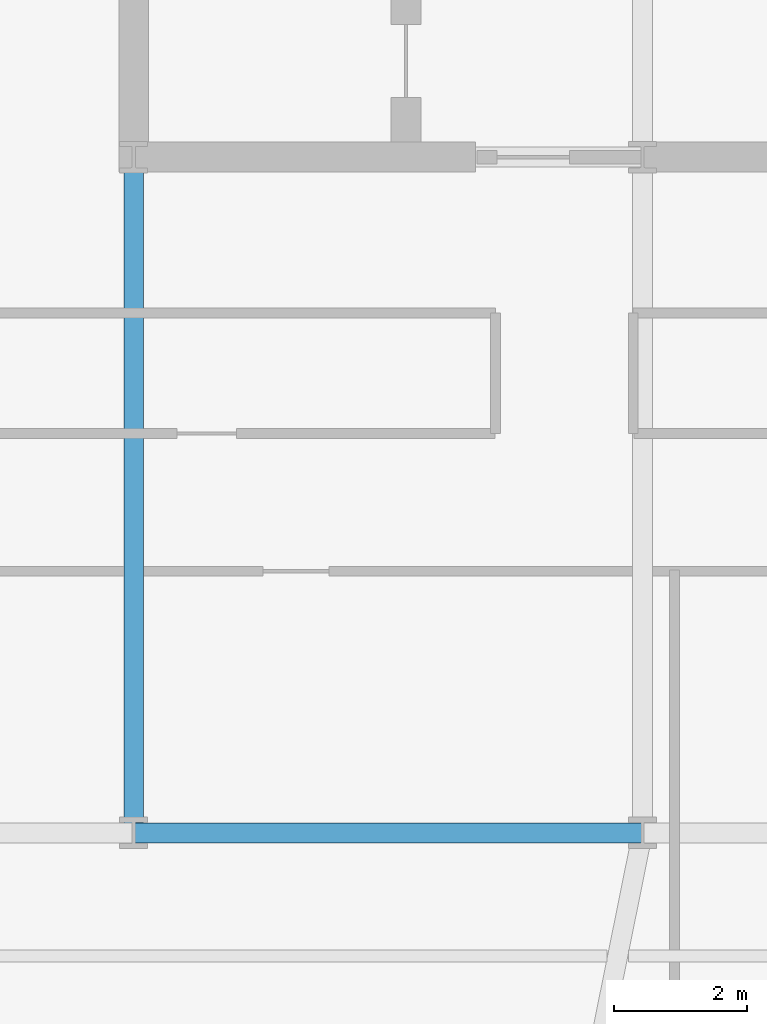
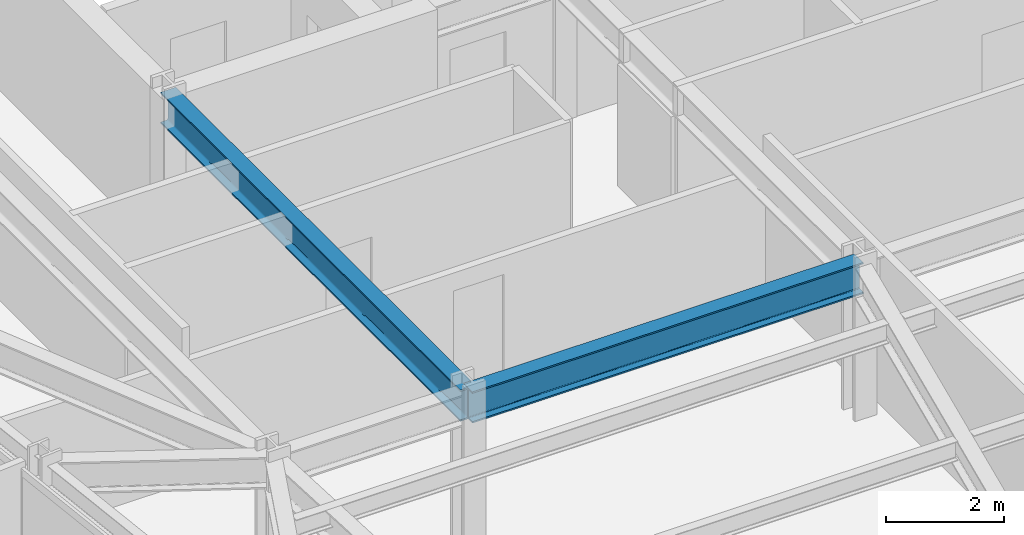
# One storey, part 7 of 32: 2 beams.
"""IFC4 building model written with IfcOpenShell, lengths in metres."""

from ifc_helpers import new_model, si_unit, direction, frame, origin, origin_2d, place, context, subcontext, project, spatial, i_section, extrude, material, material_profile, profile_set, type_object, element, save


model = new_model("IFC4")

# Units and contexts
model_context = context("Model", 3, precision=1e-05, world=origin(), true_north=direction((0.0, 1.0)))
body_context = subcontext(model_context, "Body", "Model", "MODEL_VIEW")
ifc_project = project(units=[si_unit("LENGTHUNIT", "METRE"), si_unit("AREAUNIT", "SQUARE_METRE"), si_unit("VOLUMEUNIT", "CUBIC_METRE"), si_unit("PLANEANGLEUNIT", "RADIAN"), si_unit("MASSUNIT", "GRAM", prefix="KILO")], contexts=[model_context])

# Site, building, storey
site_placement = place(None, origin())
site = spatial("IfcSite", under=ifc_project, at=site_placement, CompositionType="ELEMENT")
building_placement = place(site_placement, origin())
building = spatial("IfcBuilding", under=site, at=building_placement, Name="Yelkora Congress Tower", CompositionType="ELEMENT")
storey_placement = place(building_placement, frame((0.0, 0.0, 116.89990234375)))
storey = spatial("IfcBuildingStorey", under=building, at=storey_placement, Name="L31", CompositionType="ELEMENT", Elevation=116.89990234375)

# Beams
ifc_material = material(Name="Steel S355J2", Category="steel")
ifc_material_profile = material_profile(ifc_material, i_section(OverallWidth=0.300048828125, OverallDepth=0.64990234375, WebThickness=0.01611328125, FlangeThickness=0.031005859375, FilletRadius=0.027099609375, at=origin_2d()), Name="HEB 650")
ifc_profile_set = profile_set([ifc_material_profile], Name="Steel S355J2")
beam_type = type_object("IfcBeamType", Name="BM-GIRD-HEB650", PredefinedType="BEAM", material=ifc_profile_set)
beam_1_placement = place(storey_placement, frame((23.0400390625, 25.199951171875, 2.85498046875), z_axis=(1.0, 0.0, 0.0), x_axis=(0.0, 1.0, 0.0)))
element("IfcBeam", 1, at=beam_1_placement, inside=storey, type_object=beam_type, Name="L31 Spine Grid D Girder 2", PredefinedType="BEAM", context=body_context, shape_type="SweptSolid", body=[
    extrude(i_section(OverallWidth=0.300048828125, OverallDepth=0.64990234375, WebThickness=0.01611328125, FlangeThickness=0.031005859375, FilletRadius=0.027099609375, at=origin_2d()), origin(), (0.0, 0.0, 1.0), 7.679931640625),
])
beam_2_placement = place(storey_placement, frame((23.0400390625, 25.199951171875, 2.85498046875), z_axis=(0.0, 1.0, 0.0), x_axis=(-1.0, 0.0, 0.0)))
element("IfcBeam", 2, at=beam_2_placement, inside=storey, type_object=beam_type, Name="L31 Core Tie Girder MC-D1", PredefinedType="BEAM", context=body_context, shape_type="SweptSolid", body=[
    extrude(i_section(OverallWidth=0.300048828125, OverallDepth=0.64990234375, WebThickness=0.01611328125, FlangeThickness=0.031005859375, FilletRadius=0.027099609375, at=origin_2d()), origin(), (0.0, 0.0, 1.0), 10.199951171875),
])

save(model, "model.ifc")
